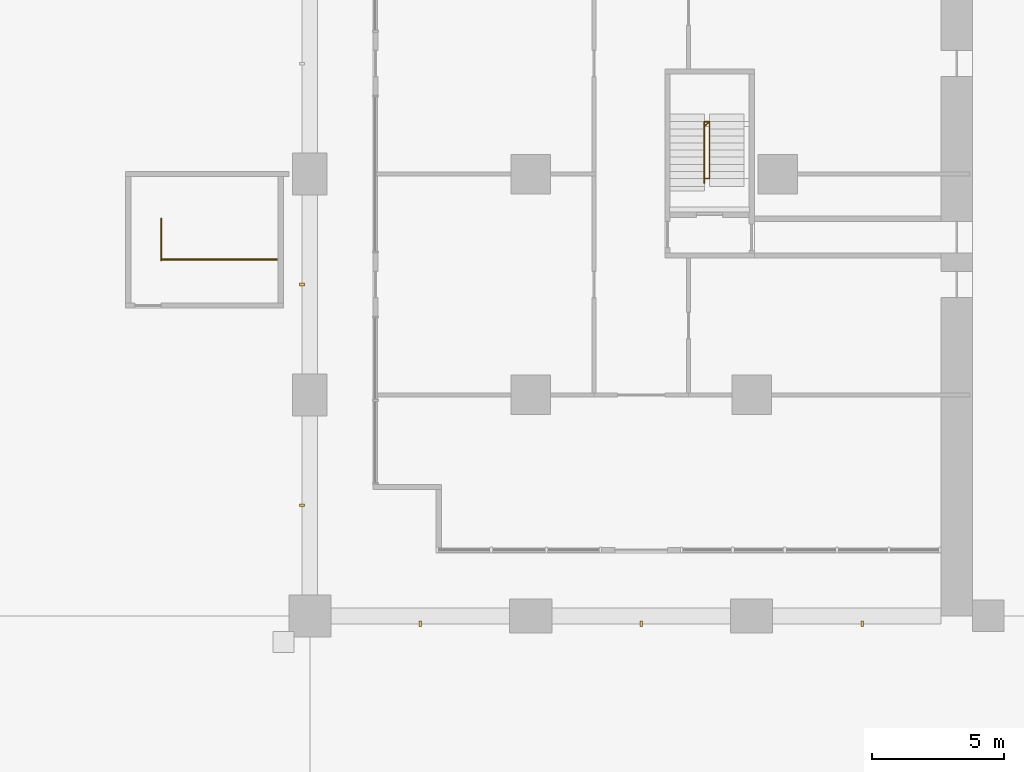
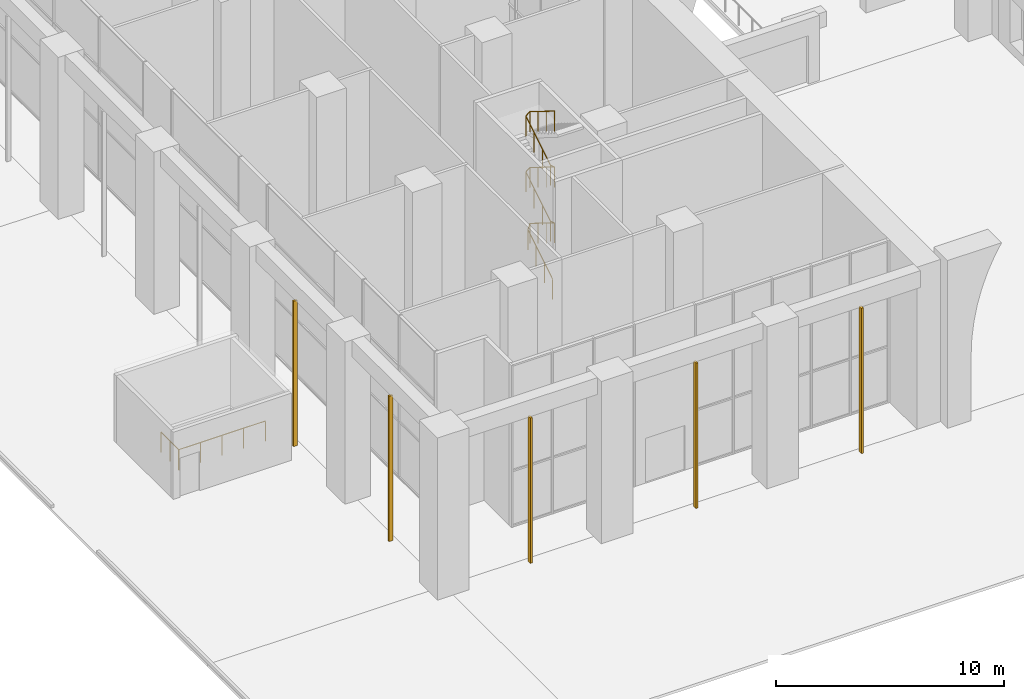
# One storey, part 34 of 46: 5 shading devices, 3 railings.
"""IFC4 building model written with IfcOpenShell, lengths in metres."""

from ifc_helpers import new_model, si_unit, direction, frame, origin, origin_2d, place, context, subcontext, project, spatial, rectangle, circle, extrude, material, material_profile, profile_set, type_object, element, save


model = new_model("IFC4")

# Units and contexts
model_context = context("Model", 3, precision=1e-05, world=origin(), true_north=direction((0.0, 1.0)))
body_context = subcontext(model_context, "Body", "Model", "MODEL_VIEW")
ifc_project = project(units=[si_unit("LENGTHUNIT", "METRE"), si_unit("AREAUNIT", "SQUARE_METRE"), si_unit("VOLUMEUNIT", "CUBIC_METRE"), si_unit("PLANEANGLEUNIT", "RADIAN"), si_unit("MASSUNIT", "GRAM", prefix="KILO")], contexts=[model_context])

# Site, building, storey
site_placement = place(None, origin())
site = spatial("IfcSite", under=ifc_project, at=site_placement, CompositionType="ELEMENT")
building_placement = place(site_placement, origin())
building = spatial("IfcBuilding", under=site, at=building_placement, Name="Vermilion Gate Residences", CompositionType="ELEMENT")
storey_placement = place(building_placement, origin())
storey = spatial("IfcBuildingStorey", under=building, at=storey_placement, Name="L00", CompositionType="ELEMENT", Elevation=0.0)

# Railings
ifc_material_1 = material(Name="Steel S355", Category="steel")
railing_type_1 = type_object("IfcRailingType", Name="STAIR GUARD 1100 STEEL", PredefinedType="GUARDRAIL", material=ifc_material_1)
railing_1_placement = place(storey_placement, frame((15.0, 16.449951171875, 0.166748046875)))
element("IfcRailing", 1, at=railing_1_placement, inside=storey, type_object=railing_type_1, Name="Stair well guard STC1-00", PredefinedType="GUARDRAIL", context=body_context, shape_type="SweptSolid", body=[
    extrude(circle(Radius=0.02392578125, at=origin_2d()), frame((0.0, 0.0, 1.076171875), z_axis=(0.0, 0.850967420841, 0.525218477081), x_axis=(-1.0, 0.0, 0.0)), (0.0, 0.0, 1.0), 2.53857421875),
    extrude(circle(Radius=0.02392578125, at=origin_2d()), frame((0.0, 2.16015625, 2.4091796875), z_axis=(0.631793436861, 0.568536951119, 0.526880240996), x_axis=(-0.66891458545, 0.743339274741, 0.0)), (0.0, 0.0, 1.0), 0.31640625),
    extrude(circle(Radius=0.02392578125, at=origin_2d()), frame((0.199951171875, 2.340087890625, 2.576171875), z_axis=(0.0, -0.850967420841, 0.525218477081), x_axis=(1.0, 0.0, 0.0)), (0.0, 0.0, 1.0), 2.53857421875),
    extrude(circle(Radius=0.02392578125, at=origin_2d()), frame((0.199951171875, 0.179931640625, 3.9091796875), z_axis=(-0.767990643491, 0.0, 0.640461061666), x_axis=(0.0, -1.0, 0.0)), (0.0, 0.0, 1.0), 0.26025390625),
    extrude(circle(Radius=0.02392578125, at=origin_2d()), frame((0.0, 0.179931640625, 4.076171875), z_axis=(0.0, 0.850967420841, 0.525218477081), x_axis=(-1.0, 0.0, 0.0)), (0.0, 0.0, 1.0), 2.53857421875),
    extrude(circle(Radius=0.02392578125, at=origin_2d()), frame((0.0, 2.340087890625, 5.4091796875), z_axis=(0.767990643491, 0.0, 0.640461061666), x_axis=(0.0, 1.0, 0.0)), (0.0, 0.0, 1.0), 0.26025390625),
    extrude(circle(Radius=0.02392578125, at=origin_2d()), frame((0.199951171875, 2.340087890625, 5.576171875), z_axis=(0.0, -0.850967420841, 0.525218477081), x_axis=(1.0, 0.0, 0.0)), (0.0, 0.0, 1.0), 2.53857421875),
    extrude(circle(Radius=0.02392578125, at=origin_2d()), frame((0.199951171875, 0.179931640625, 6.9091796875), z_axis=(-0.767990643491, 0.0, 0.640461061666), x_axis=(0.0, -1.0, 0.0)), (0.0, 0.0, 1.0), 0.26025390625),
    extrude(circle(Radius=0.02392578125, at=origin_2d()), frame((0.0, 0.179931640625, 7.076171875), z_axis=(0.0, 0.850967420841, 0.525218477081), x_axis=(-1.0, 0.0, 0.0)), (0.0, 0.0, 1.0), 2.53857421875),
    extrude(circle(Radius=0.02392578125, at=origin_2d()), frame((0.0, 2.340087890625, 8.4091796875), z_axis=(0.767990643491, 0.0, 0.640461061666), x_axis=(0.0, 1.0, 0.0)), (0.0, 0.0, 1.0), 0.26025390625),
    extrude(circle(Radius=0.02392578125, at=origin_2d()), frame((0.199951171875, 2.340087890625, 8.576171875), z_axis=(0.0, -0.850967420841, 0.525218477081), x_axis=(1.0, 0.0, 0.0)), (0.0, 0.0, 1.0), 2.53857421875),
    extrude(circle(Radius=0.02099609375, at=origin_2d()), origin(), (0.0, 0.0, 1.0), 1.052001953125),
    extrude(circle(Radius=0.02099609375, at=origin_2d()), frame((0.0, 0.719970703125, 0.4443359375)), (0.0, 0.0, 1.0), 1.052001953125),
    extrude(circle(Radius=0.02099609375, at=origin_2d()), frame((0.0, 1.440185546875, 0.888916015625)), (0.0, 0.0, 1.0), 1.052001953125),
    extrude(circle(Radius=0.02099609375, at=origin_2d()), frame((0.0, 2.16015625, 1.333251953125)), (0.0, 0.0, 1.0), 1.052001953125),
    extrude(circle(Radius=0.02099609375, at=origin_2d()), frame((0.199951171875, 2.340087890625, 1.5)), (0.0, 0.0, 1.0), 1.052001953125),
    extrude(circle(Radius=0.02099609375, at=origin_2d()), frame((0.199951171875, 1.6201171875, 1.9443359375)), (0.0, 0.0, 1.0), 1.052001953125),
    extrude(circle(Radius=0.02099609375, at=origin_2d()), frame((0.199951171875, 0.89990234375, 2.388916015625)), (0.0, 0.0, 1.0), 1.052001953125),
    extrude(circle(Radius=0.02099609375, at=origin_2d()), frame((0.199951171875, 0.179931640625, 2.833251953125)), (0.0, 0.0, 1.0), 1.052001953125),
    extrude(circle(Radius=0.02099609375, at=origin_2d()), frame((0.0, 0.179931640625, 3.0)), (0.0, 0.0, 1.0), 1.052001953125),
    extrude(circle(Radius=0.02099609375, at=origin_2d()), frame((0.0, 0.89990234375, 3.4443359375)), (0.0, 0.0, 1.0), 1.052001953125),
    extrude(circle(Radius=0.02099609375, at=origin_2d()), frame((0.0, 1.6201171875, 3.888916015625)), (0.0, 0.0, 1.0), 1.052001953125),
    extrude(circle(Radius=0.02099609375, at=origin_2d()), frame((0.0, 2.340087890625, 4.333251953125)), (0.0, 0.0, 1.0), 1.052001953125),
    extrude(circle(Radius=0.02099609375, at=origin_2d()), frame((0.199951171875, 2.340087890625, 4.5)), (0.0, 0.0, 1.0), 1.052001953125),
    extrude(circle(Radius=0.02099609375, at=origin_2d()), frame((0.199951171875, 1.6201171875, 4.9443359375)), (0.0, 0.0, 1.0), 1.052001953125),
    extrude(circle(Radius=0.02099609375, at=origin_2d()), frame((0.199951171875, 0.89990234375, 5.388916015625)), (0.0, 0.0, 1.0), 1.052001953125),
    extrude(circle(Radius=0.02099609375, at=origin_2d()), frame((0.199951171875, 0.179931640625, 5.833251953125)), (0.0, 0.0, 1.0), 1.052001953125),
    extrude(circle(Radius=0.02099609375, at=origin_2d()), frame((0.0, 0.179931640625, 6.0)), (0.0, 0.0, 1.0), 1.052001953125),
    extrude(circle(Radius=0.02099609375, at=origin_2d()), frame((0.0, 0.89990234375, 6.4443359375)), (0.0, 0.0, 1.0), 1.052001953125),
    extrude(circle(Radius=0.02099609375, at=origin_2d()), frame((0.0, 1.6201171875, 6.888916015625)), (0.0, 0.0, 1.0), 1.052001953125),
    extrude(circle(Radius=0.02099609375, at=origin_2d()), frame((0.0, 2.340087890625, 7.333251953125)), (0.0, 0.0, 1.0), 1.052001953125),
    extrude(circle(Radius=0.02099609375, at=origin_2d()), frame((0.199951171875, 2.340087890625, 7.5)), (0.0, 0.0, 1.0), 1.052001953125),
    extrude(circle(Radius=0.02099609375, at=origin_2d()), frame((0.199951171875, 1.6201171875, 7.9443359375)), (0.0, 0.0, 1.0), 1.052001953125),
    extrude(circle(Radius=0.02099609375, at=origin_2d()), frame((0.199951171875, 0.89990234375, 8.388916015625)), (0.0, 0.0, 1.0), 1.052001953125),
    extrude(circle(Radius=0.02099609375, at=origin_2d()), frame((0.199951171875, 0.179931640625, 8.833251953125)), (0.0, 0.0, 1.0), 1.052001953125),
])
ifc_material_2 = material(Name="Steel", Category="steel")
railing_type_2 = type_object("IfcRailingType", Name="STAIR WELL GUARD 1100 (AMENITY)", PredefinedType="GUARDRAIL", material=ifc_material_2)
railing_2_placement = place(storey_placement, frame((-5.64990234375, 13.52001953125, 0.0)))
element("IfcRailing", 2, at=railing_2_placement, inside=storey, type_object=railing_type_2, Name="Stair well guard 1", PredefinedType="GUARDRAIL", context=body_context, shape_type="SweptSolid", body=[
    extrude(circle(Radius=0.02392578125, at=origin_2d()), frame((0.0, 0.0, 1.076171875), z_axis=(0.0, 1.0, 0.0), x_axis=(-1.0, 0.0, 0.0)), (0.0, 0.0, 1.0), 1.580078125),
    extrude(circle(Radius=0.02099609375, at=origin_2d()), origin(), (0.0, 0.0, 1.0), 1.052001953125),
    extrude(circle(Radius=0.02099609375, at=origin_2d()), frame((0.0, 0.7900390625, 0.0)), (0.0, 0.0, 1.0), 1.052001953125),
    extrude(circle(Radius=0.02099609375, at=origin_2d()), frame((0.0, 1.580078125, 0.0)), (0.0, 0.0, 1.0), 1.052001953125),
])
railing_3_placement = place(storey_placement, frame((-5.64990234375, 13.550048828125, 0.0)))
element("IfcRailing", 3, at=railing_3_placement, inside=storey, type_object=railing_type_2, Name="Stair well guard 1 side", PredefinedType="GUARDRAIL", context=body_context, shape_type="SweptSolid", body=[
    extrude(circle(Radius=0.02392578125, at=origin_2d()), frame((0.0, 0.0, 1.076171875), z_axis=(1.0, 0.0, 0.0), x_axis=(0.0, 1.0, 0.0)), (0.0, 0.0, 1.0), 4.39990234375),
    extrude(circle(Radius=0.02099609375, at=origin_2d()), origin(), (0.0, 0.0, 1.0), 1.052001953125),
    extrude(circle(Radius=0.02099609375, at=origin_2d()), frame((1.10009765625, 0.0, 0.0)), (0.0, 0.0, 1.0), 1.052001953125),
    extrude(circle(Radius=0.02099609375, at=origin_2d()), frame((2.199951171875, 0.0, 0.0)), (0.0, 0.0, 1.0), 1.052001953125),
    extrude(circle(Radius=0.02099609375, at=origin_2d()), frame((3.2998046875, 0.0, 0.0)), (0.0, 0.0, 1.0), 1.052001953125),
    extrude(circle(Radius=0.02099609375, at=origin_2d()), frame((4.39990234375, 0.0, 0.0)), (0.0, 0.0, 1.0), 1.052001953125),
])

# Shading devices
ifc_material_3 = material(Name="Extruded terracotta", Category="masonry")
ifc_material_profile = material_profile(ifc_material_3, rectangle(XDim=0.199951171875, YDim=0.10009765625, at=origin_2d()), Name="BAGUETTE 100 X 200")
ifc_profile_set = profile_set([ifc_material_profile], Name="Extruded terracotta")
shading_device_type = type_object("IfcShadingDeviceType", Name="TERRACOTTA BAGUETTE 100 X 200", PredefinedType="JALOUSIE", material=ifc_profile_set)
for number, where, z_axis, x_axis, name in (
    (4, (4.199951171875, -0.300048828125, 0.0), (0.0, 0.0, 1.0), (0.0, 1.0, 0.0), "BAGUETTE"),
    (5, (12.60009765625, -0.300048828125, 0.0), (0.0, 0.0, 1.0), (0.0, 1.0, 0.0), "BAGUETTE"),
    (6, (21.0, -0.300048828125, 0.0), (0.0, 0.0, 1.0), (0.0, 1.0, 0.0), "BAGUETTE"),
    (7, (-0.300048828125, 4.199951171875, 0.0), (0.0, 0.0, 1.0), (1.0, 0.0, 0.0), "BAGUETTE"),
    (8, (-0.300048828125, 12.60009765625, 0.0), (0.0, 0.0, 1.0), (1.0, 0.0, 0.0), "BAGUETTE"),
):
    element("IfcShadingDevice", number, at=place(storey_placement, frame(where, z_axis=z_axis, x_axis=x_axis)), inside=storey, type_object=shading_device_type, Name=name, PredefinedType="JALOUSIE", context=body_context, shape_type="SweptSolid", body=[
        extrude(rectangle(XDim=0.199951171875, YDim=0.10009765625, at=origin_2d()), origin(), (0.0, 0.0, 1.0), 7.800048828125),
    ])

save(model, "model.ifc")
